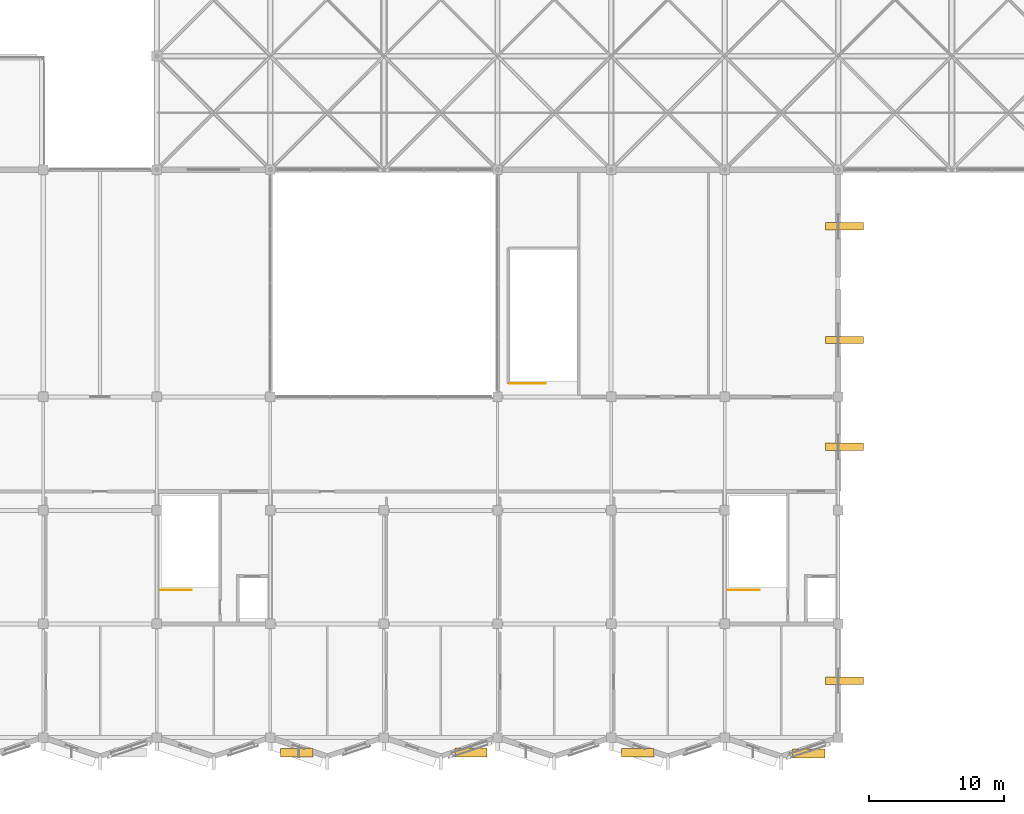
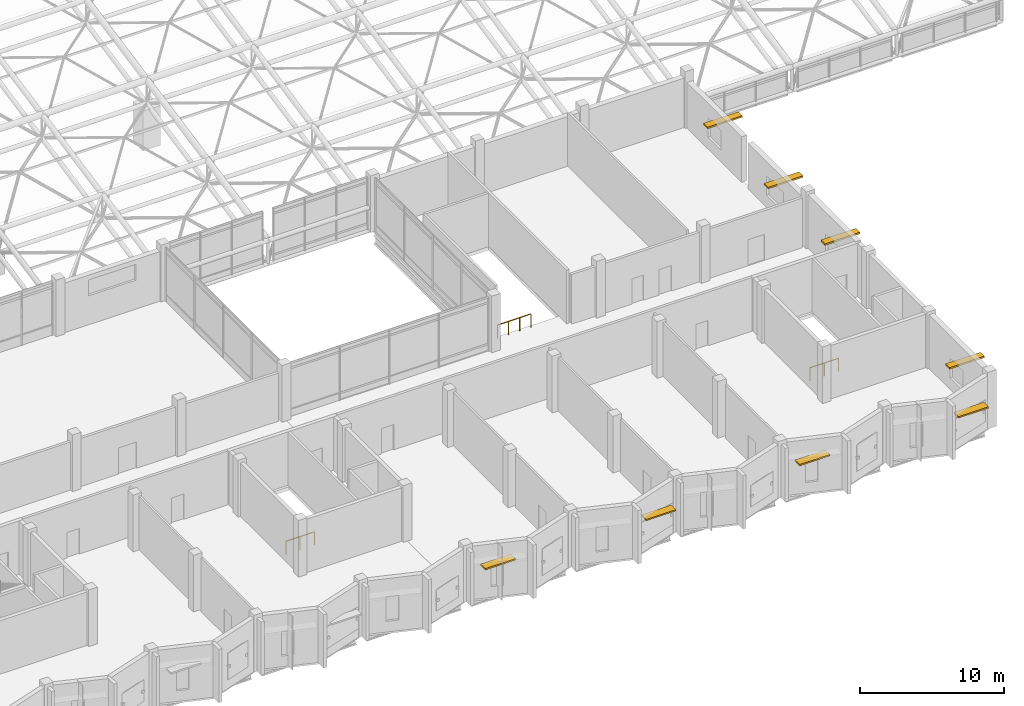
# One storey, part 110 of 110: 8 shading devices, 3 railings.
"""IFC4 building model written with IfcOpenShell, lengths in metres."""

from ifc_helpers import new_model, si_unit, direction, frame, origin, origin_2d, place, context, subcontext, project, spatial, rectangle, circle, extrude, material, type_object, element, save


model = new_model("IFC4")

# Units and contexts
model_context = context("Model", 3, precision=1e-05, world=origin(), true_north=direction((0.0, 1.0)))
body_context = subcontext(model_context, "Body", "Model", "MODEL_VIEW")
ifc_project = project(units=[si_unit("LENGTHUNIT", "METRE"), si_unit("AREAUNIT", "SQUARE_METRE"), si_unit("VOLUMEUNIT", "CUBIC_METRE"), si_unit("PLANEANGLEUNIT", "RADIAN"), si_unit("MASSUNIT", "GRAM", prefix="KILO")], contexts=[model_context])

# Site, building, storey
site_placement = place(None, origin())
site = spatial("IfcSite", under=ifc_project, at=site_placement, CompositionType="ELEMENT")
building_placement = place(site_placement, origin())
building = spatial("IfcBuilding", under=site, at=building_placement, Name="Qawsi Khor Wholesale Market", CompositionType="ELEMENT")
storey_placement = place(building_placement, frame((0.0, 0.0, 11.39990234375)))
storey = spatial("IfcBuildingStorey", under=building, at=storey_placement, Name="L02", CompositionType="ELEMENT", Elevation=11.39990234375)

# Railing
ifc_material_1 = material(Name="Brushed Stainless Steel 316", Category="steel")
railing_type_1 = type_object("IfcRailingType", Name="Atrium Guard Balustrade 1150", PredefinedType="BALUSTRADE", material=ifc_material_1)
railing_placement = place(storey_placement, frame((168.8798828125, 26.179931640625, 0.0)))
element("IfcRailing", 1, at=railing_placement, inside=storey, type_object=railing_type_1, Name="Atrium stair arrival guard E L02", PredefinedType="BALUSTRADE", context=body_context, shape_type="SweptSolid", body=[
    extrude(circle(Radius=0.02392578125, at=origin_2d()), frame((0.0, 0.0, 1.1259765625), z_axis=(1.0, 0.0, 0.0), x_axis=(0.0, 1.0, 0.0)), (0.0, 0.0, 1.0), 2.670166015625),
    extrude(circle(Radius=0.02099609375, at=origin_2d()), origin(), (0.0, 0.0, 1.0), 1.101806640625),
    extrude(circle(Radius=0.02099609375, at=origin_2d()), frame((0.89013671875, 0.0, 0.0)), (0.0, 0.0, 1.0), 1.101806640625),
    extrude(circle(Radius=0.02099609375, at=origin_2d()), frame((1.780029296875, 0.0, 0.0)), (0.0, 0.0, 1.0), 1.101806640625),
    extrude(circle(Radius=0.02099609375, at=origin_2d()), frame((2.670166015625, 0.0, 0.0)), (0.0, 0.0, 1.0), 1.101806640625),
])

# Shading devices
ifc_material_2 = material(Name="Anodised Aluminium Louvre", Category="aluminium")
shading_device_type_1 = type_object("IfcShadingDeviceType", Name="Deep-Set Horizontal Sun-Shading Louvre", PredefinedType="JALOUSIE", material=ifc_material_2)
for number, where, z_axis, x_axis, name in (
    (2, (153.159912109375, -1.122314453125, 3.0400390625), (0.0, 0.0, 1.0), (1.0, 0.0, 0.0), "Sun-shading louvre 025"),
    (3, (166.0380859375, -1.112548828125, 2.68994140625), (0.0, 0.0, 1.0), (1.0, 0.0, 0.0), "Sun-shading louvre 026"),
    (4, (178.35986328125, -1.122314453125, 3.0400390625), (0.0, 0.0, 1.0), (1.0, 0.0, 0.0), "Sun-shading louvre 027"),
    (5, (191.036865234375, -1.18603515625, 2.68994140625), (0.0, 0.0, 1.0), (1.0, 0.0, 0.0), "Sun-shading louvre 028"),
):
    element("IfcShadingDevice", number, at=place(storey_placement, frame(where, z_axis=z_axis, x_axis=x_axis)), inside=storey, type_object=shading_device_type_1, Name=name, PredefinedType="JALOUSIE", context=body_context, shape_type="SweptSolid", body=[
        extrude(rectangle(XDim=2.39990234375, YDim=0.64990234375, at=origin_2d()), origin(), (0.0, 0.0, 1.0), 0.1201171875),
    ])
shading_device_type_2 = type_object("IfcShadingDeviceType", Name="East Wing Vertical Sun-Baffle", PredefinedType="JALOUSIE", material=ifc_material_2)
for number, where, z_axis, x_axis, name in (
    (6, (193.6650390625, 4.199951171875, 2.68017578125), (0.0, 0.0, 1.0), (1.0, 0.0, 0.0), "Sun-shading louvre 044"),
    (7, (193.6650390625, 21.5, 2.68017578125), (0.0, 0.0, 1.0), (1.0, 0.0, 0.0), "Sun-shading louvre 045"),
    (8, (193.6650390625, 29.39990234375, 2.68017578125), (0.0, 0.0, 1.0), (1.0, 0.0, 0.0), "Sun-shading louvre 046"),
    (9, (193.6650390625, 37.800048828125, 2.68017578125), (0.0, 0.0, 1.0), (1.0, 0.0, 0.0), "Sun-shading louvre 047"),
):
    element("IfcShadingDevice", number, at=place(storey_placement, frame(where, z_axis=z_axis, x_axis=x_axis)), inside=storey, type_object=shading_device_type_2, Name=name, PredefinedType="JALOUSIE", context=body_context, shape_type="SweptSolid", body=[
        extrude(rectangle(XDim=2.800048828125, YDim=0.550048828125, at=origin_2d()), origin(), (0.0, 0.0, 1.0), 0.139892578125),
    ])

# Railings
railing_type_2 = type_object("IfcRailingType", Name="Stair & Void Guard Balustrade 1120", PredefinedType="BALUSTRADE", material=ifc_material_1)
for number, where, name in (
    (10, (143.10009765625, 10.89990234375, 0.0), "Stairwell arrival guard ST-05 L02"),
    (11, (185.10009765625, 10.89990234375, 0.0), "Stairwell arrival guard ST-06 L02"),
):
    element("IfcRailing", number, at=place(storey_placement, frame(where)), inside=storey, type_object=railing_type_2, Name=name, PredefinedType="BALUSTRADE", context=body_context, shape_type="SweptSolid", body=[
        extrude(circle(Radius=0.02392578125, at=origin_2d()), frame((0.0, 0.0, 1.09619140625), z_axis=(1.0, 0.0, 0.0), x_axis=(0.0, 1.0, 0.0)), (0.0, 0.0, 1.0), 2.27978515625),
        extrude(circle(Radius=0.02099609375, at=origin_2d()), origin(), (0.0, 0.0, 1.0), 1.072021484375),
        extrude(circle(Radius=0.02099609375, at=origin_2d()), frame((1.139892578125, 0.0, 0.0)), (0.0, 0.0, 1.0), 1.072021484375),
        extrude(circle(Radius=0.02099609375, at=origin_2d()), frame((2.27978515625, 0.0, 0.0)), (0.0, 0.0, 1.0), 1.072021484375),
    ])

save(model, "model.ifc")
